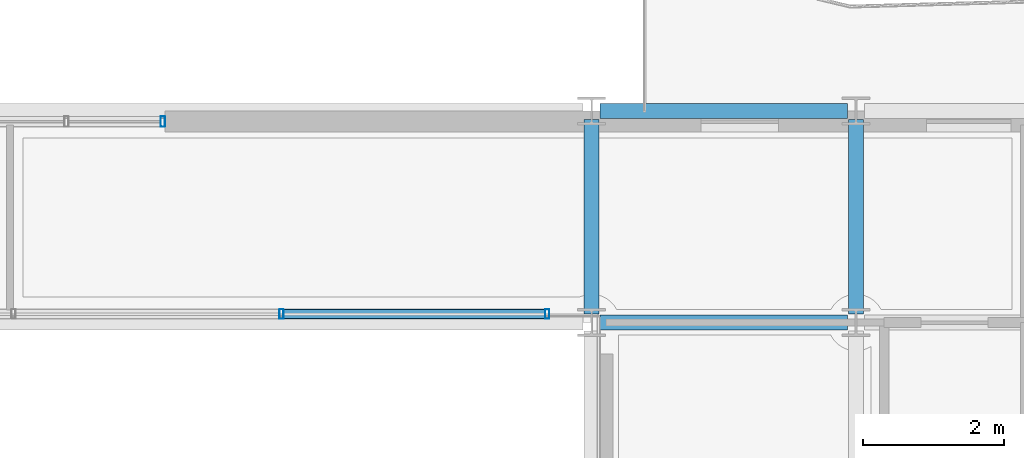
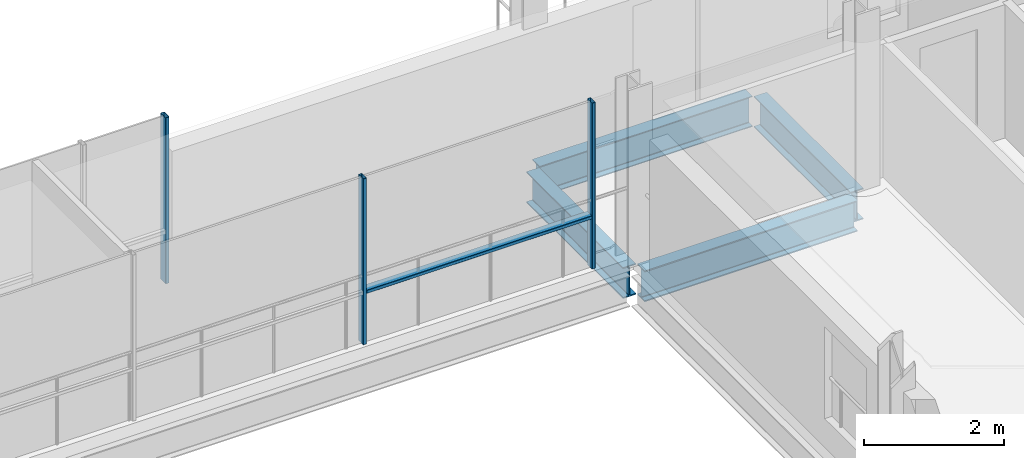
# One storey, part 20 of 35: 4 beams, 4 members, 2 elements without a shape of their own.
"""IFC4 building model written with IfcOpenShell, lengths in metres."""

from ifc_helpers import new_model, si_unit, direction, frame, origin, origin_2d, place, context, subcontext, project, spatial, hollow_rectangle, i_section, extrude, material, layer, layer_set, material_profile, profile_set, type_object, element, aggregate, save


model = new_model("IFC4")

# Units and contexts
model_context = context("Model", 3, precision=1e-05, world=origin(), true_north=direction((0.0, 1.0)))
body_context = subcontext(model_context, "Body", "Model", "MODEL_VIEW")
ifc_project = project(units=[si_unit("LENGTHUNIT", "METRE"), si_unit("AREAUNIT", "SQUARE_METRE"), si_unit("VOLUMEUNIT", "CUBIC_METRE"), si_unit("PLANEANGLEUNIT", "RADIAN"), si_unit("MASSUNIT", "GRAM", prefix="KILO")], contexts=[model_context])

# Site, building, storey
site_placement = place(None, origin())
site = spatial("IfcSite", under=ifc_project, at=site_placement, CompositionType="ELEMENT")
building_placement = place(site_placement, origin())
building = spatial("IfcBuilding", under=site, at=building_placement, Name="Brevholm Reach", CompositionType="ELEMENT")
storey_placement = place(building_placement, frame((0.0, 0.0, 183.199951171875)))
storey = spatial("IfcBuildingStorey", under=building, at=storey_placement, Name="L55", CompositionType="ELEMENT", Elevation=183.199951171875)

# Beams
ifc_material_1 = material(Name="Structural Steel S355J2", Category="steel")
ifc_material_profile_1 = material_profile(ifc_material_1, i_section(OverallWidth=0.209228515625, OverallDepth=0.533203125, WebThickness=0.010009765625, FlangeThickness=0.015625, FilletRadius=0.0126953125, at=origin_2d()), Name="UKB 533x210x92")
ifc_profile_set_1 = profile_set([ifc_material_profile_1], Name="Structural Steel S355J2")
beam_type_1 = type_object("IfcBeamType", Name="BM-SP533", PredefinedType="SPANDREL", material=ifc_profile_set_1)
beam_1_placement = place(storey_placement, frame((38.3701171875, 26.5, -0.4765625), z_axis=(1.0, 0.0, 0.0), x_axis=(0.0, 1.0, 0.0)))
element("IfcBeam", 1, at=beam_1_placement, inside=storey, type_object=beam_type_1, Name="L55 SP-02 Framing Beam", PredefinedType="SPANDREL", context=body_context, shape_type="SweptSolid", body=[
    extrude(i_section(OverallWidth=0.209228515625, OverallDepth=0.533203125, WebThickness=0.010009765625, FlangeThickness=0.015625, FilletRadius=0.0126953125, at=origin_2d()), origin(), (0.0, 0.0, 1.0), 3.509765625),
])
ifc_material_2 = material(Name="Structural Steel S355J2", Category="steel")
ifc_material_profile_2 = material_profile(ifc_material_2, i_section(OverallWidth=0.210693359375, OverallDepth=0.53955078125, WebThickness=0.01171875, FlangeThickness=0.018798828125, FilletRadius=0.0126953125, at=origin_2d()), Name="UKB 533x210x109")
ifc_profile_set_2 = profile_set([ifc_material_profile_2], Name="Structural Steel S355J2")
beam_type_2 = type_object("IfcBeamType", Name="BM-SP539", PredefinedType="SPANDREL", material=ifc_profile_set_2)
beam_2_placement = place(storey_placement, frame((38.3701171875, 23.5, -0.479736328125), z_axis=(1.0, 0.0, 0.0), x_axis=(0.0, 1.0, 0.0)))
element("IfcBeam", 2, at=beam_2_placement, inside=storey, type_object=beam_type_2, Name="L55 SP-01B Framing Beam", PredefinedType="SPANDREL", context=body_context, shape_type="SweptSolid", body=[
    extrude(i_section(OverallWidth=0.210693359375, OverallDepth=0.53955078125, WebThickness=0.01171875, FlangeThickness=0.018798828125, FilletRadius=0.0126953125, at=origin_2d()), origin(), (0.0, 0.0, 1.0), 3.509765625),
])
for number, where, z_axis, x_axis, name in (
    (3, (38.25, 23.6201171875, -0.479736328125), (0.0, 1.0, 0.0), (-1.0, 0.0, 0.0), "L55 SP-01B Framing Beam"),
    (4, (42.0, 23.6201171875, -0.479736328125), (0.0, 1.0, 0.0), (-1.0, 0.0, 0.0), "L55 SP-01B Framing Beam"),
):
    element("IfcBeam", number, at=place(storey_placement, frame(where, z_axis=z_axis, x_axis=x_axis)), inside=storey, type_object=beam_type_2, Name=name, PredefinedType="SPANDREL", context=body_context, shape_type="SweptSolid", body=[
        extrude(i_section(OverallWidth=0.210693359375, OverallDepth=0.53955078125, WebThickness=0.01171875, FlangeThickness=0.018798828125, FilletRadius=0.0126953125, at=origin_2d()), origin(), (0.0, 0.0, 1.0), 2.759765625),
    ])

# Curtain wall, members
ifc_material_3 = material(Name="Dark Anodised Aluminium 6063-T6 and Solar-Control Glass", Category="aluminium")
ifc_layer_1 = layer(ifc_material_3, 0.139892578125)
ifc_layer_set_1 = layer_set([ifc_layer_1], Name="Dark Anodised Aluminium 6063-T6 and Solar-Control Glass")
curtain_wall_type_1 = type_object("IfcCurtainWallType", Name="CW-02", PredefinedType="NOTDEFINED", material=ifc_layer_set_1)
curtain_wall_1_placement = place(storey_placement, origin())
curtain_wall_1 = element("IfcCurtainWall", 5, at=curtain_wall_1_placement, inside=storey, type_object=curtain_wall_type_1, Name="L55 Curtain Wall CW-02", PredefinedType="NOTDEFINED")
ifc_material_4 = material(Name="Dark Anodised Aluminium 6063-T6", Category="aluminium")
ifc_material_profile_3 = material_profile(ifc_material_4, hollow_rectangle(XDim=0.06005859375, YDim=0.139892578125, WallThickness=0.0048828125, InnerFilletRadius=0.0048828125, OuterFilletRadius=0.010009765625, at=origin_2d()), Name="RHS 140x60x5")
ifc_profile_set_3 = profile_set([ifc_material_profile_3], Name="Dark Anodised Aluminium 6063-T6")
member_type_1 = type_object("IfcMemberType", Name="CWM-140", PredefinedType="MULLION", material=ifc_profile_set_3)
member_1_placement = place(storey_placement, frame((37.6201171875, 23.6201171875, 0.0), z_axis=(0.0, 0.0, 1.0), x_axis=(-1.0, 0.0, 0.0)))
member_1 = element("IfcMember", 6, at=member_1_placement, type_object=member_type_1, Name="CM-140 Mullion 1", PredefinedType="MULLION", context=body_context, shape_type="SweptSolid", body=[
    extrude(hollow_rectangle(XDim=0.06005859375, YDim=0.139892578125, WallThickness=0.0048828125, InnerFilletRadius=0.0048828125, OuterFilletRadius=0.010009765625, at=origin_2d()), origin(), (0.0, 0.0, 1.0), 2.89013671875),
])
member_2_placement = place(storey_placement, frame((33.85009765625, 23.6201171875, 0.0), z_axis=(0.0, 0.0, 1.0), x_axis=(-1.0, 0.0, 0.0)))
member_2 = element("IfcMember", 7, at=member_2_placement, type_object=member_type_1, Name="CM-140 Mullion 2", PredefinedType="MULLION", context=body_context, shape_type="SweptSolid", body=[
    extrude(hollow_rectangle(XDim=0.06005859375, YDim=0.139892578125, WallThickness=0.0048828125, InnerFilletRadius=0.0048828125, OuterFilletRadius=0.010009765625, at=origin_2d()), origin(), (0.0, 0.0, 1.0), 2.89013671875),
])

# Curtain wall, member
ifc_material_5 = material(Name="Dark Anodised Aluminium 6063-T6 and Solar-Control Glass", Category="aluminium")
ifc_layer_2 = layer(ifc_material_5, 0.14990234375)
ifc_layer_set_2 = layer_set([ifc_layer_2], Name="Dark Anodised Aluminium 6063-T6 and Solar-Control Glass")
curtain_wall_type_2 = type_object("IfcCurtainWallType", Name="CW-01", PredefinedType="NOTDEFINED", material=ifc_layer_set_2)
curtain_wall_2_placement = place(storey_placement, origin())
curtain_wall_2 = element("IfcCurtainWall", 8, at=curtain_wall_2_placement, inside=storey, type_object=curtain_wall_type_2, Name="L55 Curtain Wall CW-01", PredefinedType="NOTDEFINED")
ifc_material_6 = material(Name="Dark Anodised Aluminium 6063-T6", Category="aluminium")
ifc_material_profile_4 = material_profile(ifc_material_6, hollow_rectangle(XDim=0.06494140625, YDim=0.14990234375, WallThickness=0.0048828125, InnerFilletRadius=0.0048828125, OuterFilletRadius=0.010009765625, at=origin_2d()), Name="RHS 150x65x5")
ifc_profile_set_4 = profile_set([ifc_material_profile_4], Name="Dark Anodised Aluminium 6063-T6")
member_type_2 = type_object("IfcMemberType", Name="CWM-150", PredefinedType="MULLION", material=ifc_profile_set_4)
member_3_placement = place(storey_placement, frame((32.16748046875, 26.35009765625, 0.0), z_axis=(0.0, 0.0, 1.0), x_axis=(1.0, 0.0, 0.0)))
member_3 = element("IfcMember", 9, at=member_3_placement, type_object=member_type_2, Name="CM-150 Mullion 3", PredefinedType="MULLION", context=body_context, shape_type="SweptSolid", body=[
    extrude(hollow_rectangle(XDim=0.06494140625, YDim=0.14990234375, WallThickness=0.0048828125, InnerFilletRadius=0.0048828125, OuterFilletRadius=0.010009765625, at=origin_2d()), origin(), (0.0, 0.0, 1.0), 2.89013671875),
])
aggregate(curtain_wall_2, [member_3])

# Member
ifc_material_7 = material(Name="Dark Anodised Aluminium 6063-T6", Category="aluminium")
ifc_material_profile_5 = material_profile(ifc_material_7, hollow_rectangle(XDim=0.06005859375, YDim=0.139892578125, WallThickness=0.0048828125, InnerFilletRadius=0.0048828125, OuterFilletRadius=0.010009765625, at=origin_2d()), Name="RHS 140x60x5")
ifc_profile_set_5 = profile_set([ifc_material_profile_5], Name="Dark Anodised Aluminium 6063-T6")
member_type_3 = type_object("IfcMemberType", Name="CWT-140", PredefinedType="NOTDEFINED", material=ifc_profile_set_5)
member_4_placement = place(storey_placement, frame((37.590087890625, 23.6201171875, 0.900146484375), z_axis=(-1.0, 0.0, 0.0), x_axis=(0.0, 0.0, 1.0)))
member_4 = element("IfcMember", 10, at=member_4_placement, type_object=member_type_3, Name="CT-140 Transom 1.1", ObjectType="TRANSOM", PredefinedType="USERDEFINED", context=body_context, shape_type="SweptSolid", body=[
    extrude(hollow_rectangle(XDim=0.06005859375, YDim=0.139892578125, WallThickness=0.0048828125, InnerFilletRadius=0.0048828125, OuterFilletRadius=0.010009765625, at=origin_2d()), origin(), (0.0, 0.0, 1.0), 3.710205078125),
])

aggregate(curtain_wall_1, [member_1, member_2, member_4])

save(model, "model.ifc")
